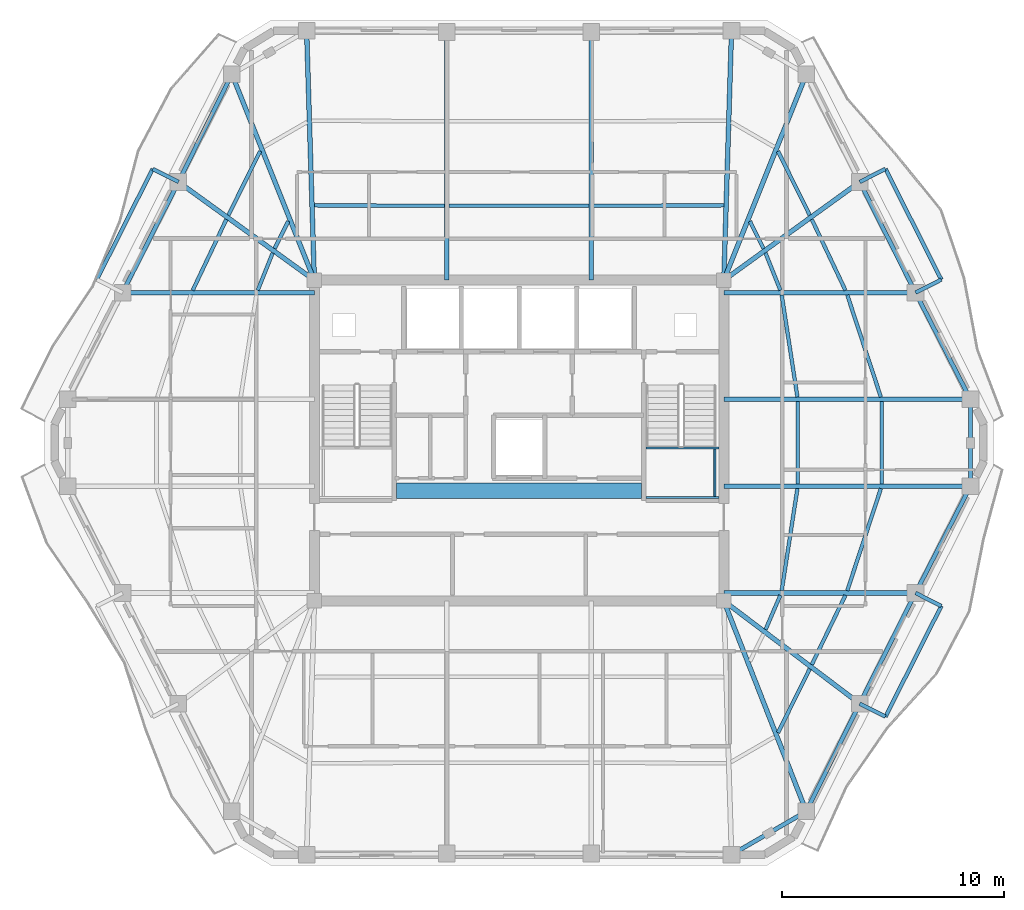
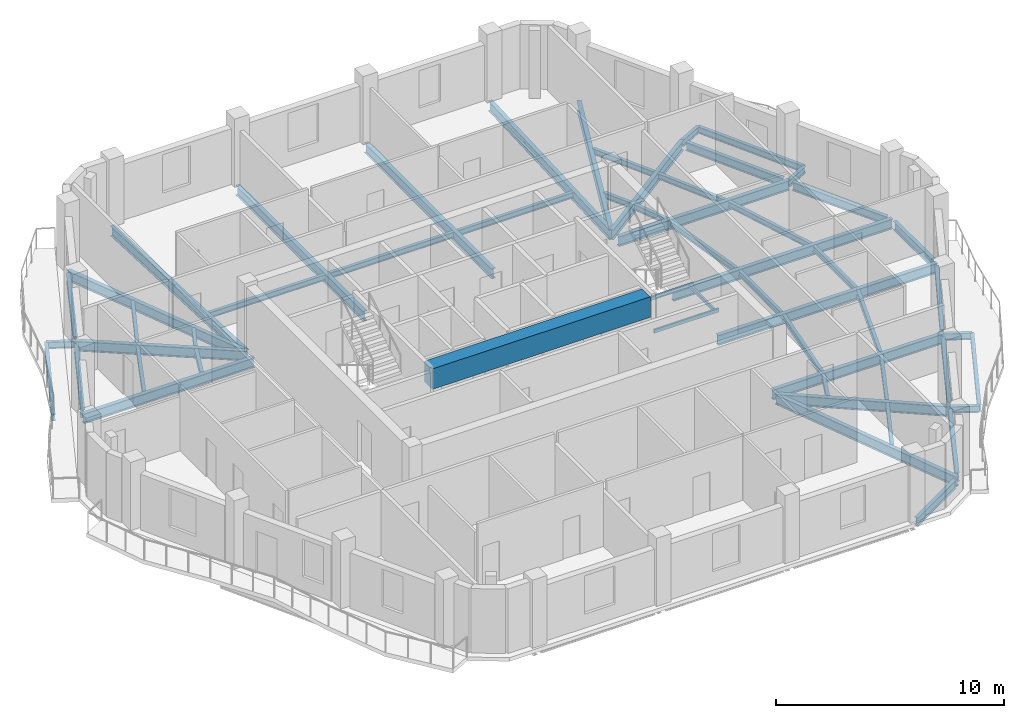
# One storey, part 2 of 12: 56 beams.
"""IFC4 building model written with IfcOpenShell, lengths in metres."""

from ifc_helpers import new_model, si_unit, direction, frame, origin, origin_2d, place, context, subcontext, project, spatial, rectangle, hollow_rectangle, i_section, extrude, material, material_profile, profile_set, type_object, element, save


model = new_model("IFC4")

# Units and contexts
model_context = context("Model", 3, precision=1e-05, world=origin(), true_north=direction((0.0, 1.0)))
body_context = subcontext(model_context, "Body", "Model", "MODEL_VIEW")
ifc_project = project(units=[si_unit("LENGTHUNIT", "METRE"), si_unit("AREAUNIT", "SQUARE_METRE"), si_unit("VOLUMEUNIT", "CUBIC_METRE"), si_unit("PLANEANGLEUNIT", "RADIAN"), si_unit("MASSUNIT", "GRAM", prefix="KILO")], contexts=[model_context])

# Site, building, storey
site_placement = place(None, origin())
site = spatial("IfcSite", under=ifc_project, at=site_placement, CompositionType="ELEMENT")
building_placement = place(site_placement, origin())
building = spatial("IfcBuilding", under=site, at=building_placement, Name="Cinnabar Lancet Tower", CompositionType="ELEMENT")
storey_placement = place(building_placement, frame((0.0, 0.0, 237.949951171875)))
storey = spatial("IfcBuildingStorey", under=building, at=storey_placement, Name="L63", CompositionType="ELEMENT", Elevation=237.949951171875)

# Beams
ifc_material_1 = material(Name="Concrete C70/85", Category="concrete")
ifc_material_profile_1 = material_profile(ifc_material_1, rectangle(XDim=0.699951171875, YDim=1.10009765625, at=origin_2d()), Name="RC-CB 700x1100")
ifc_profile_set_1 = profile_set([ifc_material_profile_1], Name="Concrete C70/85")
beam_type_1 = type_object("IfcBeamType", Name="STR-BM-CB-1100", PredefinedType="BEAM", material=ifc_profile_set_1)
beam_1_placement = place(storey_placement, frame((26.8798828125, 23.64990234375, 2.900146484375), z_axis=(1.0, 0.0, 0.0), x_axis=(0.0, 1.0, 0.0)))
element("IfcBeam", 1, at=beam_1_placement, inside=storey, type_object=beam_type_1, Name="L63 Core Coupling Beam", PredefinedType="BEAM", context=body_context, shape_type="SweptSolid", body=[
    extrude(rectangle(XDim=0.699951171875, YDim=1.10009765625, at=origin_2d()), origin(), (0.0, 0.0, 1.0), 11.0400390625),
])
ifc_material_2 = material(Name="Structural steel S355", Category="steel")
ifc_material_profile_2 = material_profile(ifc_material_2, i_section(OverallWidth=0.1650390625, OverallDepth=0.303466796875, WebThickness=0.006103515625, FlangeThickness=0.01025390625, FilletRadius=0.0087890625, at=origin_2d()), Name="UKB 305x165x40")
ifc_profile_set_2 = profile_set([ifc_material_profile_2], Name="Structural steel S355")
beam_type_2 = type_object("IfcBeamType", Name="STR-BM-JST-305", PredefinedType="JOIST", material=ifc_profile_set_2)
beam_2_placement = place(storey_placement, frame((44.06591796875, 12.73193359375, -0.35205078125), z_axis=(0.444391284604, 0.895832789179, 0.0), x_axis=(-0.895832789179, 0.444391284604, 0.0)))
element("IfcBeam", 2, at=beam_2_placement, inside=storey, type_object=beam_type_2, Name="L63 Secondary Floor Joist 15", PredefinedType="JOIST", context=body_context, shape_type="SweptSolid", body=[
    extrude(i_section(OverallWidth=0.1650390625, OverallDepth=0.303466796875, WebThickness=0.006103515625, FlangeThickness=0.01025390625, FilletRadius=0.0087890625, at=origin_2d()), origin(), (0.0, 0.0, 1.0), 3.220458984375),
])
beam_3_placement = place(storey_placement, frame((45.591064453125, 15.80810546875, -0.35205078125), z_axis=(0.43610936109, 0.899893674369, 0.0), x_axis=(-0.899893674369, 0.43610936109, 0.0)))
element("IfcBeam", 3, at=beam_3_placement, inside=storey, type_object=beam_type_2, Name="L63 Secondary Floor Joist 17", PredefinedType="JOIST", context=body_context, shape_type="SweptSolid", body=[
    extrude(i_section(OverallWidth=0.1650390625, OverallDepth=0.303466796875, WebThickness=0.006103515625, FlangeThickness=0.01025390625, FilletRadius=0.0087890625, at=origin_2d()), origin(), (0.0, 0.0, 1.0), 3.467041015625),
])
beam_4_placement = place(storey_placement, frame((43.5048828125, 17.385009765625, -0.35205078125), z_axis=(0.396302440144, 0.91812002262, 0.0), x_axis=(-0.91812002262, 0.396302440144, 0.0)))
element("IfcBeam", 4, at=beam_4_placement, inside=storey, type_object=beam_type_2, Name="L63 Secondary Floor Joist 18", PredefinedType="JOIST", context=body_context, shape_type="SweptSolid", body=[
    extrude(i_section(OverallWidth=0.1650390625, OverallDepth=0.303466796875, WebThickness=0.006103515625, FlangeThickness=0.01025390625, FilletRadius=0.0087890625, at=origin_2d()), origin(), (0.0, 0.0, 1.0), 1.6806640625),
])
beam_5_placement = place(storey_placement, frame((47.18798828125, 19.137939453125, -0.35205078125), z_axis=(0.312491145371, 0.949920672512, 0.0), x_axis=(-0.949920672512, 0.312491145371, 0.0)))
element("IfcBeam", 5, at=beam_5_placement, inside=storey, type_object=beam_type_2, Name="L63 Secondary Floor Joist 19", PredefinedType="JOIST", context=body_context, shape_type="SweptSolid", body=[
    extrude(i_section(OverallWidth=0.1650390625, OverallDepth=0.303466796875, WebThickness=0.006103515625, FlangeThickness=0.01025390625, FilletRadius=0.0087890625, at=origin_2d()), origin(), (0.0, 0.0, 1.0), 4.8447265625),
])
beam_6_placement = place(storey_placement, frame((44.23291015625, 19.137939453125, -0.35205078125), z_axis=(0.152262059154, 0.988340156698, 0.0), x_axis=(-0.988340156698, 0.152262059154, 0.0)))
element("IfcBeam", 6, at=beam_6_placement, inside=storey, type_object=beam_type_2, Name="L63 Secondary Floor Joist 20", PredefinedType="JOIST", context=body_context, shape_type="SweptSolid", body=[
    extrude(i_section(OverallWidth=0.1650390625, OverallDepth=0.303466796875, WebThickness=0.006103515625, FlangeThickness=0.01025390625, FilletRadius=0.0087890625, at=origin_2d()), origin(), (0.0, 0.0, 1.0), 4.65625),
])
for number, where, z_axis, x_axis, name in (
    (7, (48.737060546875, 23.949951171875, -0.35205078125), (0.0, 1.0, 0.0), (-1.0, 0.0, 0.0), "L63 Secondary Floor Joist 21"),
    (8, (44.958984375, 23.949951171875, -0.35205078125), (0.0, 1.0, 0.0), (-1.0, 0.0, 0.0), "L63 Secondary Floor Joist 22"),
):
    element("IfcBeam", number, at=place(storey_placement, frame(where, z_axis=z_axis, x_axis=x_axis)), inside=storey, type_object=beam_type_2, Name=name, PredefinedType="JOIST", context=body_context, shape_type="SweptSolid", body=[
        extrude(i_section(OverallWidth=0.1650390625, OverallDepth=0.303466796875, WebThickness=0.006103515625, FlangeThickness=0.01025390625, FilletRadius=0.0087890625, at=origin_2d()), origin(), (0.0, 0.0, 1.0), 3.699951171875),
    ])
beam_7_placement = place(storey_placement, frame((48.701904296875, 27.860107421875, -0.35205078125), z_axis=(-0.312506104996, 0.94991575118, 0.0), x_axis=(-0.94991575118, -0.312506104996, 0.0)))
element("IfcBeam", 9, at=beam_7_placement, inside=storey, type_object=beam_type_2, Name="L63 Secondary Floor Joist 23", PredefinedType="JOIST", context=body_context, shape_type="SweptSolid", body=[
    extrude(i_section(OverallWidth=0.1650390625, OverallDepth=0.303466796875, WebThickness=0.006103515625, FlangeThickness=0.01025390625, FilletRadius=0.0087890625, at=origin_2d()), origin(), (0.0, 0.0, 1.0), 4.844482421875),
])
beam_8_placement = place(storey_placement, frame((44.94189453125, 27.860107421875, -0.35205078125), z_axis=(-0.152269949853, 0.988338941038, 0.0), x_axis=(-0.988338941038, -0.152269949853, 0.0)))
element("IfcBeam", 10, at=beam_8_placement, inside=storey, type_object=beam_type_2, Name="L63 Secondary Floor Joist 24", PredefinedType="JOIST", context=body_context, shape_type="SweptSolid", body=[
    extrude(i_section(OverallWidth=0.1650390625, OverallDepth=0.303466796875, WebThickness=0.006103515625, FlangeThickness=0.01025390625, FilletRadius=0.0087890625, at=origin_2d()), origin(), (0.0, 0.0, 1.0), 4.656005859375),
])
beam_9_placement = place(storey_placement, frame((47.10400390625, 32.672119140625, -0.35205078125), z_axis=(-0.428647868514, 0.903471640296, 0.0), x_axis=(-0.903471640296, -0.428647868514, 0.0)))
element("IfcBeam", 11, at=beam_9_placement, inside=storey, type_object=beam_type_2, Name="L63 Secondary Floor Joist 25", PredefinedType="JOIST", context=body_context, shape_type="SweptSolid", body=[
    extrude(i_section(OverallWidth=0.1650390625, OverallDepth=0.303466796875, WebThickness=0.006103515625, FlangeThickness=0.01025390625, FilletRadius=0.0087890625, at=origin_2d()), origin(), (0.0, 0.0, 1.0), 3.53173828125),
])
beam_10_placement = place(storey_placement, frame((44.175048828125, 32.672119140625, -0.35205078125), z_axis=(-0.37155332079, 0.928411616585, 0.0), x_axis=(-0.928411616585, -0.37155332079, 0.0)))
element("IfcBeam", 12, at=beam_10_placement, inside=storey, type_object=beam_type_2, Name="L63 Secondary Floor Joist 26", PredefinedType="JOIST", context=body_context, shape_type="SweptSolid", body=[
    extrude(i_section(OverallWidth=0.1650390625, OverallDepth=0.303466796875, WebThickness=0.006103515625, FlangeThickness=0.01025390625, FilletRadius=0.0087890625, at=origin_2d()), origin(), (0.0, 0.0, 1.0), 1.8115234375),
])
beam_11_placement = place(storey_placement, frame((45.4970703125, 36.054931640625, -0.35205078125), z_axis=(-0.44427059531, 0.895892648783, 0.0), x_axis=(-0.895892648783, -0.44427059531, 0.0)))
element("IfcBeam", 13, at=beam_11_placement, inside=storey, type_object=beam_type_2, Name="L63 Secondary Floor Joist 27", PredefinedType="JOIST", context=body_context, shape_type="SweptSolid", body=[
    extrude(i_section(OverallWidth=0.1650390625, OverallDepth=0.303466796875, WebThickness=0.006103515625, FlangeThickness=0.01025390625, FilletRadius=0.0087890625, at=origin_2d()), origin(), (0.0, 0.0, 1.0), 3.221435546875),
])
beam_12_placement = place(storey_placement, frame((43.4150390625, 34.549072265625, -0.35205078125), z_axis=(-0.444661746427, 0.895698571655, 0.0), x_axis=(-0.895698571655, -0.444661746427, 0.0)))
element("IfcBeam", 14, at=beam_12_placement, inside=storey, type_object=beam_type_2, Name="L63 Secondary Floor Joist 28", PredefinedType="JOIST", context=body_context, shape_type="SweptSolid", body=[
    extrude(i_section(OverallWidth=0.1650390625, OverallDepth=0.303466796875, WebThickness=0.006103515625, FlangeThickness=0.01025390625, FilletRadius=0.0087890625, at=origin_2d()), origin(), (0.0, 0.0, 1.0), 1.378662109375),
])
beam_13_placement = place(storey_placement, frame((41.6240234375, 36.49609375, -0.35205078125), z_axis=(-0.999996226008, -0.002747356738, 0.0), x_axis=(0.002747356738, -0.999996226008, 0.0)))
element("IfcBeam", 15, at=beam_13_placement, inside=storey, type_object=beam_type_2, Name="L63 Secondary Floor Joist 31", PredefinedType="JOIST", context=body_context, shape_type="SweptSolid", body=[
    extrude(i_section(OverallWidth=0.1650390625, OverallDepth=0.303466796875, WebThickness=0.006103515625, FlangeThickness=0.01025390625, FilletRadius=0.0087890625, at=origin_2d()), origin(), (0.0, 0.0, 1.0), 5.864990234375),
])
beam_14_placement = place(storey_placement, frame((35.549072265625, 36.47998046875, -0.35205078125), z_axis=(-1.0, 0.0, 0.0), x_axis=(0.0, -1.0, 0.0)))
element("IfcBeam", 16, at=beam_14_placement, inside=storey, type_object=beam_type_2, Name="L63 Secondary Floor Joist 33", PredefinedType="JOIST", context=body_context, shape_type="SweptSolid", body=[
    extrude(i_section(OverallWidth=0.1650390625, OverallDepth=0.303466796875, WebThickness=0.006103515625, FlangeThickness=0.01025390625, FilletRadius=0.0087890625, at=origin_2d()), origin(), (0.0, 0.0, 1.0), 6.298095703125),
])
beam_15_placement = place(storey_placement, frame((29.041015625, 36.47998046875, -0.35205078125), z_axis=(-0.999996226008, 0.002747356738, 0.0), x_axis=(-0.002747356738, -0.999996226008, 0.0)))
element("IfcBeam", 17, at=beam_15_placement, inside=storey, type_object=beam_type_2, Name="L63 Secondary Floor Joist 35", PredefinedType="JOIST", context=body_context, shape_type="SweptSolid", body=[
    extrude(i_section(OverallWidth=0.1650390625, OverallDepth=0.303466796875, WebThickness=0.006103515625, FlangeThickness=0.01025390625, FilletRadius=0.0087890625, at=origin_2d()), origin(), (0.0, 0.0, 1.0), 5.864990234375),
])
beam_16_placement = place(storey_placement, frame((20.73388671875, 38.94091796875, -0.35205078125), z_axis=(-0.444209762814, -0.89592281287, 0.0), x_axis=(0.89592281287, -0.444209762814, 0.0)))
element("IfcBeam", 18, at=beam_16_placement, inside=storey, type_object=beam_type_2, Name="L63 Secondary Floor Joist 37", PredefinedType="JOIST", context=body_context, shape_type="SweptSolid", body=[
    extrude(i_section(OverallWidth=0.1650390625, OverallDepth=0.303466796875, WebThickness=0.006103515625, FlangeThickness=0.01025390625, FilletRadius=0.0087890625, at=origin_2d()), origin(), (0.0, 0.0, 1.0), 3.22119140625),
])
beam_17_placement = place(storey_placement, frame((21.998046875, 35.783935546875, -0.35205078125), z_axis=(-0.444661746427, -0.895698571655, 0.0), x_axis=(0.895698571655, -0.444661746427, 0.0)))
element("IfcBeam", 19, at=beam_17_placement, inside=storey, type_object=beam_type_2, Name="L63 Secondary Floor Joist 38", PredefinedType="JOIST", context=body_context, shape_type="SweptSolid", body=[
    extrude(i_section(OverallWidth=0.1650390625, OverallDepth=0.303466796875, WebThickness=0.006103515625, FlangeThickness=0.01025390625, FilletRadius=0.0087890625, at=origin_2d()), origin(), (0.0, 0.0, 1.0), 1.378662109375),
])
beam_18_placement = place(storey_placement, frame((19.2099609375, 35.863037109375, -0.35205078125), z_axis=(-0.428647868514, -0.903471640296, 0.0), x_axis=(0.903471640296, -0.428647868514, 0.0)))
element("IfcBeam", 20, at=beam_18_placement, inside=storey, type_object=beam_type_2, Name="L63 Secondary Floor Joist 39", PredefinedType="JOIST", context=body_context, shape_type="SweptSolid", body=[
    extrude(i_section(OverallWidth=0.1650390625, OverallDepth=0.303466796875, WebThickness=0.006103515625, FlangeThickness=0.01025390625, FilletRadius=0.0087890625, at=origin_2d()), origin(), (0.0, 0.0, 1.0), 3.53173828125),
])
beam_19_placement = place(storey_placement, frame((21.298095703125, 34.35400390625, -0.35205078125), z_axis=(-0.37155332079, -0.928411616585, 0.0), x_axis=(0.928411616585, -0.37155332079, 0.0)))
element("IfcBeam", 21, at=beam_19_placement, inside=storey, type_object=beam_type_2, Name="L63 Secondary Floor Joist 40", PredefinedType="JOIST", context=body_context, shape_type="SweptSolid", body=[
    extrude(i_section(OverallWidth=0.1650390625, OverallDepth=0.303466796875, WebThickness=0.006103515625, FlangeThickness=0.01025390625, FilletRadius=0.0087890625, at=origin_2d()), origin(), (0.0, 0.0, 1.0), 1.8115234375),
])
ifc_material_3 = material(Name="Structural steel S355", Category="steel")
ifc_material_profile_3 = material_profile(ifc_material_3, hollow_rectangle(XDim=0.10009765625, YDim=0.199951171875, WallThickness=0.008056640625, InnerFilletRadius=0.00390625, OuterFilletRadius=0.011962890625, at=origin_2d()), Name="RHS 200x100x8")
ifc_profile_set_3 = profile_set([ifc_material_profile_3], Name="Structural steel S355")
beam_type_3 = type_object("IfcBeamType", Name="STR-BM-LND-203", PredefinedType="BEAM", material=ifc_profile_set_3)
for number, where, z_axis, x_axis, name in (
    (22, (38.1201171875, 23.330078125, 1.525146484375), (1.0, 0.0, 0.0), (0.0, 1.0, 0.0), "L63 ST-2-L63 Landing Support Beam S"),
    (23, (38.1201171875, 25.570068359375, 1.525146484375), (1.0, 0.0, 0.0), (0.0, 1.0, 0.0), "L63 ST-2-L63 Landing Support Beam N"),
):
    element("IfcBeam", number, at=place(storey_placement, frame(where, z_axis=z_axis, x_axis=x_axis)), inside=storey, type_object=beam_type_3, Name=name, PredefinedType="BEAM", context=body_context, shape_type="SweptSolid", body=[
        extrude(hollow_rectangle(XDim=0.10009765625, YDim=0.199951171875, WallThickness=0.008056640625, InnerFilletRadius=0.00390625, OuterFilletRadius=0.011962890625, at=origin_2d()), origin(), (0.0, 0.0, 1.0), 3.27978515625),
    ])
beam_20_placement = place(storey_placement, frame((41.219970703125, 23.3798828125, 1.525146484375), z_axis=(0.0, 1.0, 0.0), x_axis=(-1.0, 0.0, 0.0)))
element("IfcBeam", 24, at=beam_20_placement, inside=storey, type_object=beam_type_3, Name="L63 ST-2-L63 Landing Side Trimmer Beam", PredefinedType="BEAM", context=body_context, shape_type="SweptSolid", body=[
    extrude(hollow_rectangle(XDim=0.10009765625, YDim=0.199951171875, WallThickness=0.008056640625, InnerFilletRadius=0.00390625, OuterFilletRadius=0.011962890625, at=origin_2d()), origin(), (0.0, 0.0, 1.0), 2.14013671875),
])
ifc_material_4 = material(Name="Structural steel S355", Category="steel")
ifc_material_profile_4 = material_profile(ifc_material_4, i_section(OverallWidth=0.1904296875, OverallDepth=0.45703125, WebThickness=0.009033203125, FlangeThickness=0.014404296875, FilletRadius=0.01025390625, at=origin_2d()), Name="UKB 457x191x74")
ifc_profile_set_4 = profile_set([ifc_material_profile_4], Name="Structural steel S355")
beam_type_4 = type_object("IfcBeamType", Name="STR-BM-SPN-457", PredefinedType="SPANDREL", material=ifc_profile_set_4)
beam_21_placement = place(storey_placement, frame((42.18798828125, 7.364013671875, -0.427978515625), z_axis=(0.865230894194, 0.50137361292, 0.0), x_axis=(-0.50137361292, 0.865230894194, 0.0)))
element("IfcBeam", 25, at=beam_21_placement, inside=storey, type_object=beam_type_4, Name="L63 Perimeter Spandrel 4", PredefinedType="SPANDREL", context=body_context, shape_type="SweptSolid", body=[
    extrude(i_section(OverallWidth=0.1904296875, OverallDepth=0.45703125, WebThickness=0.009033203125, FlangeThickness=0.014404296875, FilletRadius=0.01025390625, at=origin_2d()), origin(), (0.0, 0.0, 1.0), 3.39453125),
])
beam_22_placement = place(storey_placement, frame((45.451904296875, 9.4150390625, -0.427978515625), z_axis=(0.444372599207, 0.895842058107, 0.0), x_axis=(-0.895842058107, 0.444372599207, 0.0)))
element("IfcBeam", 26, at=beam_22_placement, inside=storey, type_object=beam_type_4, Name="L63 Perimeter Spandrel 5", PredefinedType="SPANDREL", context=body_context, shape_type="SweptSolid", body=[
    extrude(i_section(OverallWidth=0.1904296875, OverallDepth=0.45703125, WebThickness=0.009033203125, FlangeThickness=0.014404296875, FilletRadius=0.01025390625, at=origin_2d()), origin(), (0.0, 0.0, 1.0), 4.91943359375),
])
beam_23_placement = place(storey_placement, frame((47.862060546875, 14.26904296875, -0.427978515625), z_axis=(0.450091864122, 0.892982258419, 0.0), x_axis=(-0.892982258419, 0.450091864122, 0.0)))
element("IfcBeam", 27, at=beam_23_placement, inside=storey, type_object=beam_type_4, Name="L63 Perimeter Spandrel 6", PredefinedType="SPANDREL", context=body_context, shape_type="SweptSolid", body=[
    extrude(i_section(OverallWidth=0.1904296875, OverallDepth=0.45703125, WebThickness=0.009033203125, FlangeThickness=0.014404296875, FilletRadius=0.01025390625, at=origin_2d()), origin(), (0.0, 0.0, 1.0), 5.085205078125),
])
beam_24_placement = place(storey_placement, frame((50.3779296875, 19.2548828125, -0.427978515625), z_axis=(0.457127852293, 0.889400993174, 0.0), x_axis=(-0.889400993174, 0.457127852293, 0.0)))
element("IfcBeam", 28, at=beam_24_placement, inside=storey, type_object=beam_type_4, Name="L63 Perimeter Spandrel 7", PredefinedType="SPANDREL", context=body_context, shape_type="SweptSolid", body=[
    extrude(i_section(OverallWidth=0.1904296875, OverallDepth=0.45703125, WebThickness=0.009033203125, FlangeThickness=0.014404296875, FilletRadius=0.01025390625, at=origin_2d()), origin(), (0.0, 0.0, 1.0), 4.911376953125),
])
beam_25_placement = place(storey_placement, frame((52.737060546875, 24.094970703125, -0.427978515625), z_axis=(0.0, 1.0, 0.0), x_axis=(-1.0, 0.0, 0.0)))
element("IfcBeam", 29, at=beam_25_placement, inside=storey, type_object=beam_type_4, Name="L63 Perimeter Spandrel 8", PredefinedType="SPANDREL", context=body_context, shape_type="SweptSolid", body=[
    extrude(i_section(OverallWidth=0.1904296875, OverallDepth=0.45703125, WebThickness=0.009033203125, FlangeThickness=0.014404296875, FilletRadius=0.01025390625, at=origin_2d()), origin(), (0.0, 0.0, 1.0), 3.409912109375),
])
beam_26_placement = place(storey_placement, frame((52.623046875, 27.97705078125, -0.427978515625), z_axis=(-0.457148063427, 0.889390604912, 0.0), x_axis=(-0.889390604912, -0.457148063427, 0.0)))
element("IfcBeam", 30, at=beam_26_placement, inside=storey, type_object=beam_type_4, Name="L63 Perimeter Spandrel 9", PredefinedType="SPANDREL", context=body_context, shape_type="SweptSolid", body=[
    extrude(i_section(OverallWidth=0.1904296875, OverallDepth=0.45703125, WebThickness=0.009033203125, FlangeThickness=0.014404296875, FilletRadius=0.01025390625, at=origin_2d()), origin(), (0.0, 0.0, 1.0), 4.9111328125),
])
beam_27_placement = place(storey_placement, frame((50.15087890625, 32.7900390625, -0.427978515625), z_axis=(-0.450091864122, 0.892982258419, 0.0), x_axis=(-0.892982258419, -0.450091864122, 0.0)))
element("IfcBeam", 31, at=beam_27_placement, inside=storey, type_object=beam_type_4, Name="L63 Perimeter Spandrel 10", PredefinedType="SPANDREL", context=body_context, shape_type="SweptSolid", body=[
    extrude(i_section(OverallWidth=0.1904296875, OverallDepth=0.45703125, WebThickness=0.009033203125, FlangeThickness=0.014404296875, FilletRadius=0.01025390625, at=origin_2d()), origin(), (0.0, 0.0, 1.0), 5.085205078125),
])
beam_28_placement = place(storey_placement, frame((19.347900390625, 42.18505859375, -0.427978515625), z_axis=(-0.44433276947, -0.895861814107, 0.0), x_axis=(0.895861814107, -0.44433276947, 0.0)))
element("IfcBeam", 32, at=beam_28_placement, inside=storey, type_object=beam_type_4, Name="L63 Perimeter Spandrel 17", PredefinedType="SPANDREL", context=body_context, shape_type="SweptSolid", body=[
    extrude(i_section(OverallWidth=0.1904296875, OverallDepth=0.45703125, WebThickness=0.009033203125, FlangeThickness=0.014404296875, FilletRadius=0.01025390625, at=origin_2d()), origin(), (0.0, 0.0, 1.0), 4.919189453125),
])
beam_29_placement = place(storey_placement, frame((16.93798828125, 37.3310546875, -0.427978515625), z_axis=(-0.450130146726, -0.892962961722, 0.0), x_axis=(0.892962961722, -0.450130146726, 0.0)))
element("IfcBeam", 33, at=beam_29_placement, inside=storey, type_object=beam_type_4, Name="L63 Perimeter Spandrel 18", PredefinedType="SPANDREL", context=body_context, shape_type="SweptSolid", body=[
    extrude(i_section(OverallWidth=0.1904296875, OverallDepth=0.45703125, WebThickness=0.009033203125, FlangeThickness=0.014404296875, FilletRadius=0.01025390625, at=origin_2d()), origin(), (0.0, 0.0, 1.0), 5.08544921875),
])
ifc_material_5 = material(Name="Structural steel S355", Category="steel")
ifc_material_profile_5 = material_profile(ifc_material_5, i_section(OverallWidth=0.209228515625, OverallDepth=0.533203125, WebThickness=0.010009765625, FlangeThickness=0.015625, FilletRadius=0.0126953125, at=origin_2d()), Name="UKB 533x210x92")
ifc_profile_set_5 = profile_set([ifc_material_profile_5], Name="Structural steel S355")
beam_type_5 = type_object("IfcBeamType", Name="STR-BM-UKB533-92", PredefinedType="BEAM", material=ifc_profile_set_5)
beam_30_placement = place(storey_placement, frame((47.7490234375, 14.0458984375, -0.467041015625), z_axis=(-0.797735075719, 0.603008083667, 0.0), x_axis=(-0.603008083667, -0.797735075719, 0.0)))
element("IfcBeam", 34, at=beam_30_placement, inside=storey, type_object=beam_type_5, Name="L63 Corner Collector Girder 2", PredefinedType="BEAM", context=body_context, shape_type="SweptSolid", body=[
    extrude(i_section(OverallWidth=0.209228515625, OverallDepth=0.533203125, WebThickness=0.010009765625, FlangeThickness=0.015625, FilletRadius=0.0126953125, at=origin_2d()), origin(), (0.0, 0.0, 1.0), 7.6767578125),
])
for number, where, z_axis, x_axis, name in (
    (35, (47.7490234375, 37.553955078125, -0.467041015625), (-0.810299148474, -0.586016458797, 0.0), (0.586016458797, -0.810299148474, 0.0), "L63 Corner Collector Girder 3"),
    (36, (17.051025390625, 37.553955078125, -0.467041015625), (0.810299148474, -0.586016458797, 0.0), (0.586016458797, 0.810299148474, 0.0), "L63 Corner Collector Girder 4"),
):
    element("IfcBeam", number, at=place(storey_placement, frame(where, z_axis=z_axis, x_axis=x_axis)), inside=storey, type_object=beam_type_5, Name=name, PredefinedType="BEAM", context=body_context, shape_type="SweptSolid", body=[
        extrude(i_section(OverallWidth=0.209228515625, OverallDepth=0.533203125, WebThickness=0.010009765625, FlangeThickness=0.015625, FilletRadius=0.0126953125, at=origin_2d()), origin(), (0.0, 0.0, 1.0), 7.5576171875),
    ])
beam_31_placement = place(storey_placement, frame((45.341064453125, 9.19091796875, -0.467041015625), z_axis=(-0.364815017375, 0.931080019707, 0.0), x_axis=(-0.931080019707, -0.364815017375, 0.0)))
element("IfcBeam", 37, at=beam_31_placement, inside=storey, type_object=beam_type_5, Name="L63 Primary Floor Girder 5", PredefinedType="BEAM", context=body_context, shape_type="SweptSolid", body=[
    extrude(i_section(OverallWidth=0.209228515625, OverallDepth=0.533203125, WebThickness=0.010009765625, FlangeThickness=0.015625, FilletRadius=0.0126953125, at=origin_2d()), origin(), (0.0, 0.0, 1.0), 10.186279296875),
])
beam_32_placement = place(storey_placement, frame((50.263916015625, 19.032958984375, -0.467041015625), z_axis=(-1.0, 0.0, 0.0), x_axis=(0.0, -1.0, 0.0)))
element("IfcBeam", 38, at=beam_32_placement, inside=storey, type_object=beam_type_5, Name="L63 Primary Floor Girder 7", PredefinedType="BEAM", context=body_context, shape_type="SweptSolid", body=[
    extrude(i_section(OverallWidth=0.209228515625, OverallDepth=0.533203125, WebThickness=0.010009765625, FlangeThickness=0.015625, FilletRadius=0.0126953125, at=origin_2d()), origin(), (0.0, 0.0, 1.0), 8.638916015625),
])
for number, where, z_axis, x_axis, name in (
    (39, (52.737060546875, 23.844970703125, -0.467041015625), (-1.0, 0.0, 0.0), (0.0, -1.0, 0.0), "L63 Primary Floor Girder 8"),
    (40, (52.737060546875, 27.7548828125, -0.467041015625), (-1.0, 0.0, 0.0), (0.0, -1.0, 0.0), "L63 Primary Floor Girder 9"),
):
    element("IfcBeam", number, at=place(storey_placement, frame(where, z_axis=z_axis, x_axis=x_axis)), inside=storey, type_object=beam_type_5, Name=name, PredefinedType="BEAM", context=body_context, shape_type="SweptSolid", body=[
        extrude(i_section(OverallWidth=0.209228515625, OverallDepth=0.533203125, WebThickness=0.010009765625, FlangeThickness=0.015625, FilletRadius=0.0126953125, at=origin_2d()), origin(), (0.0, 0.0, 1.0), 11.112060546875),
    ])
beam_33_placement = place(storey_placement, frame((50.263916015625, 32.56689453125, -0.467041015625), z_axis=(-1.0, 0.0, 0.0), x_axis=(0.0, -1.0, 0.0)))
element("IfcBeam", 41, at=beam_33_placement, inside=storey, type_object=beam_type_5, Name="L63 Primary Floor Girder 10", PredefinedType="BEAM", context=body_context, shape_type="SweptSolid", body=[
    extrude(i_section(OverallWidth=0.209228515625, OverallDepth=0.533203125, WebThickness=0.010009765625, FlangeThickness=0.015625, FilletRadius=0.0126953125, at=origin_2d()), origin(), (0.0, 0.0, 1.0), 8.638916015625),
])
beam_34_placement = place(storey_placement, frame((45.341064453125, 42.408935546875, -0.467041015625), z_axis=(-0.371605341166, -0.928390796172, 0.0), x_axis=(0.928390796172, -0.371605341166, 0.0)))
element("IfcBeam", 42, at=beam_34_placement, inside=storey, type_object=beam_type_5, Name="L63 Primary Floor Girder 12", PredefinedType="BEAM", context=body_context, shape_type="SweptSolid", body=[
    extrude(i_section(OverallWidth=0.209228515625, OverallDepth=0.533203125, WebThickness=0.010009765625, FlangeThickness=0.015625, FilletRadius=0.0126953125, at=origin_2d()), origin(), (0.0, 0.0, 1.0), 10.0),
])
beam_35_placement = place(storey_placement, frame((41.971923828125, 44.361083984375, -0.467041015625), z_axis=(-0.030861159652, -0.999523680973, 0.0), x_axis=(0.999523680973, -0.030861159652, 0.0)))
element("IfcBeam", 43, at=beam_35_placement, inside=storey, type_object=beam_type_5, Name="L63 Primary Floor Girder 13", PredefinedType="BEAM", context=body_context, shape_type="SweptSolid", body=[
    extrude(i_section(OverallWidth=0.209228515625, OverallDepth=0.533203125, WebThickness=0.010009765625, FlangeThickness=0.015625, FilletRadius=0.0126953125, at=origin_2d()), origin(), (0.0, 0.0, 1.0), 11.241455078125),
])
for number, where, z_axis, x_axis, name in (
    (44, (35.654052734375, 44.30810546875, -0.467041015625), (0.0, -1.0, 0.0), (1.0, 0.0, 0.0), "L63 Primary Floor Girder 14"),
    (45, (29.14599609375, 44.30810546875, -0.467041015625), (0.0, -1.0, 0.0), (1.0, 0.0, 0.0), "L63 Primary Floor Girder 15"),
):
    element("IfcBeam", number, at=place(storey_placement, frame(where, z_axis=z_axis, x_axis=x_axis)), inside=storey, type_object=beam_type_5, Name=name, PredefinedType="BEAM", context=body_context, shape_type="SweptSolid", body=[
        extrude(i_section(OverallWidth=0.209228515625, OverallDepth=0.533203125, WebThickness=0.010009765625, FlangeThickness=0.015625, FilletRadius=0.0126953125, at=origin_2d()), origin(), (0.0, 0.0, 1.0), 11.18310546875),
    ])
beam_36_placement = place(storey_placement, frame((22.827880859375, 44.361083984375, -0.467041015625), z_axis=(0.030882856862, -0.999523010817, 0.0), x_axis=(0.999523010817, 0.030882856862, 0.0)))
element("IfcBeam", 46, at=beam_36_placement, inside=storey, type_object=beam_type_5, Name="L63 Primary Floor Girder 16", PredefinedType="BEAM", context=body_context, shape_type="SweptSolid", body=[
    extrude(i_section(OverallWidth=0.209228515625, OverallDepth=0.533203125, WebThickness=0.010009765625, FlangeThickness=0.015625, FilletRadius=0.0126953125, at=origin_2d()), origin(), (0.0, 0.0, 1.0), 11.241455078125),
])
beam_37_placement = place(storey_placement, frame((19.458984375, 42.408935546875, -0.467041015625), z_axis=(0.371605341166, -0.928390796172, 0.0), x_axis=(0.928390796172, 0.371605341166, 0.0)))
element("IfcBeam", 47, at=beam_37_placement, inside=storey, type_object=beam_type_5, Name="L63 Primary Floor Girder 17", PredefinedType="BEAM", context=body_context, shape_type="SweptSolid", body=[
    extrude(i_section(OverallWidth=0.209228515625, OverallDepth=0.533203125, WebThickness=0.010009765625, FlangeThickness=0.015625, FilletRadius=0.0126953125, at=origin_2d()), origin(), (0.0, 0.0, 1.0), 10.0),
])
beam_38_placement = place(storey_placement, frame((14.535888671875, 32.56689453125, -0.467041015625), z_axis=(1.0, 0.0, 0.0), x_axis=(0.0, 1.0, 0.0)))
element("IfcBeam", 48, at=beam_38_placement, inside=storey, type_object=beam_type_5, Name="L63 Primary Floor Girder 19", PredefinedType="BEAM", context=body_context, shape_type="SweptSolid", body=[
    extrude(i_section(OverallWidth=0.209228515625, OverallDepth=0.533203125, WebThickness=0.010009765625, FlangeThickness=0.015625, FilletRadius=0.0126953125, at=origin_2d()), origin(), (0.0, 0.0, 1.0), 8.63916015625),
])
ifc_material_6 = material(Name="Structural steel S355", Category="steel")
ifc_material_profile_6 = material_profile(ifc_material_6, i_section(OverallWidth=0.17138671875, OverallDepth=0.35498046875, WebThickness=0.00732421875, FlangeThickness=0.011474609375, FilletRadius=0.01025390625, at=origin_2d()), Name="UKB 356x171x51")
ifc_profile_set_6 = profile_set([ifc_material_profile_6], Name="Structural steel S355")
beam_type_6 = type_object("IfcBeamType", Name="STR-BM-WAV-OUT", PredefinedType="BEAM", material=ifc_profile_set_6)
for number, where, z_axis, x_axis, name in (
    (49, (47.7490234375, 14.0458984375, -0.39794921875), (0.89227592947, -0.451490493464, 0.0), (0.451490493464, 0.89227592947, 0.0), "L63 Face 2 Balcony Outlooker A"),
    (50, (50.263916015625, 19.032958984375, -0.39794921875), (0.892314203325, -0.451414845285, 0.0), (0.451414845285, 0.892314203325, 0.0), "L63 Face 2 Balcony Outlooker B"),
):
    element("IfcBeam", number, at=place(storey_placement, frame(where, z_axis=z_axis, x_axis=x_axis)), inside=storey, type_object=beam_type_6, Name=name, PredefinedType="BEAM", context=body_context, shape_type="SweptSolid", body=[
        extrude(i_section(OverallWidth=0.17138671875, OverallDepth=0.35498046875, WebThickness=0.00732421875, FlangeThickness=0.011474609375, FilletRadius=0.01025390625, at=origin_2d()), origin(), (0.0, 0.0, 1.0), 1.300048828125),
    ])
beam_39_placement = place(storey_placement, frame((50.263916015625, 32.56689453125, -0.39794921875), z_axis=(0.892238560088, 0.451564338597, 0.0), x_axis=(-0.451564338597, 0.892238560088, 0.0)))
element("IfcBeam", 51, at=beam_39_placement, inside=storey, type_object=beam_type_6, Name="L63 Face 3 Balcony Outlooker A", PredefinedType="BEAM", context=body_context, shape_type="SweptSolid", body=[
    extrude(i_section(OverallWidth=0.17138671875, OverallDepth=0.35498046875, WebThickness=0.00732421875, FlangeThickness=0.011474609375, FilletRadius=0.01025390625, at=origin_2d()), origin(), (0.0, 0.0, 1.0), 1.30029296875),
])
for number, where, z_axis, x_axis, name in (
    (52, (47.7490234375, 37.553955078125, -0.39794921875), (0.892200264127, 0.451639998995, 0.0), (-0.451639998995, 0.892200264127, 0.0), "L63 Face 3 Balcony Outlooker B"),
    (53, (17.051025390625, 37.553955078125, -0.39794921875), (-0.892200264127, 0.451639998995, 0.0), (-0.451639998995, -0.892200264127, 0.0), "L63 Face 5 Balcony Outlooker A"),
):
    element("IfcBeam", number, at=place(storey_placement, frame(where, z_axis=z_axis, x_axis=x_axis)), inside=storey, type_object=beam_type_6, Name=name, PredefinedType="BEAM", context=body_context, shape_type="SweptSolid", body=[
        extrude(i_section(OverallWidth=0.17138671875, OverallDepth=0.35498046875, WebThickness=0.00732421875, FlangeThickness=0.011474609375, FilletRadius=0.01025390625, at=origin_2d()), origin(), (0.0, 0.0, 1.0), 1.300048828125),
    ])
ifc_material_7 = material(Name="Structural steel S355", Category="steel")
ifc_material_profile_7 = material_profile(ifc_material_7, i_section(OverallWidth=0.17138671875, OverallDepth=0.35498046875, WebThickness=0.00732421875, FlangeThickness=0.011474609375, FilletRadius=0.01025390625, at=origin_2d()), Name="UKB 356x171x51")
ifc_profile_set_7 = profile_set([ifc_material_profile_7], Name="Structural steel S355")
beam_type_7 = type_object("IfcBeamType", Name="STR-BM-WAV-TRIM", PredefinedType="SPANDREL", material=ifc_profile_set_7)
for number, where, z_axis, x_axis, name in (
    (54, (48.908935546875, 13.458984375, -0.39794921875), (0.450305622338, 0.892874485295, 0.0), (-0.892874485295, 0.450305622338, 0.0), "L63 Face 2 Balcony Edge Trimmer"),
    (55, (51.424072265625, 33.154052734375, -0.39794921875), (-0.450305622338, 0.892874485295, 0.0), (-0.892874485295, -0.450305622338, 0.0), "L63 Face 3 Balcony Edge Trimmer"),
    (56, (15.89111328125, 38.14111328125, -0.39794921875), (-0.450305622338, -0.892874485295, 0.0), (0.892874485295, -0.450305622338, 0.0), "L63 Face 5 Balcony Edge Trimmer"),
):
    element("IfcBeam", number, at=place(storey_placement, frame(where, z_axis=z_axis, x_axis=x_axis)), inside=storey, type_object=beam_type_7, Name=name, PredefinedType="SPANDREL", context=body_context, shape_type="SweptSolid", body=[
        extrude(i_section(OverallWidth=0.17138671875, OverallDepth=0.35498046875, WebThickness=0.00732421875, FlangeThickness=0.011474609375, FilletRadius=0.01025390625, at=origin_2d()), origin(), (0.0, 0.0, 1.0), 5.58544921875),
    ])

save(model, "model.ifc")
